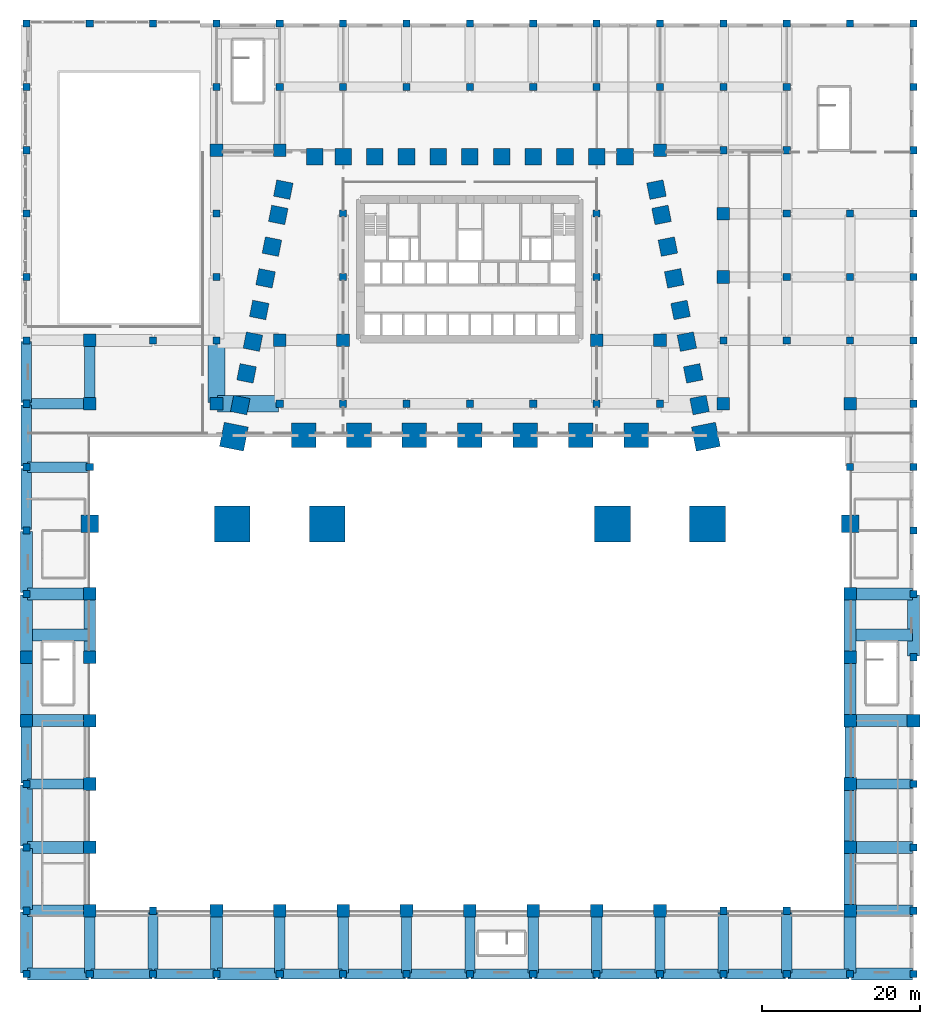
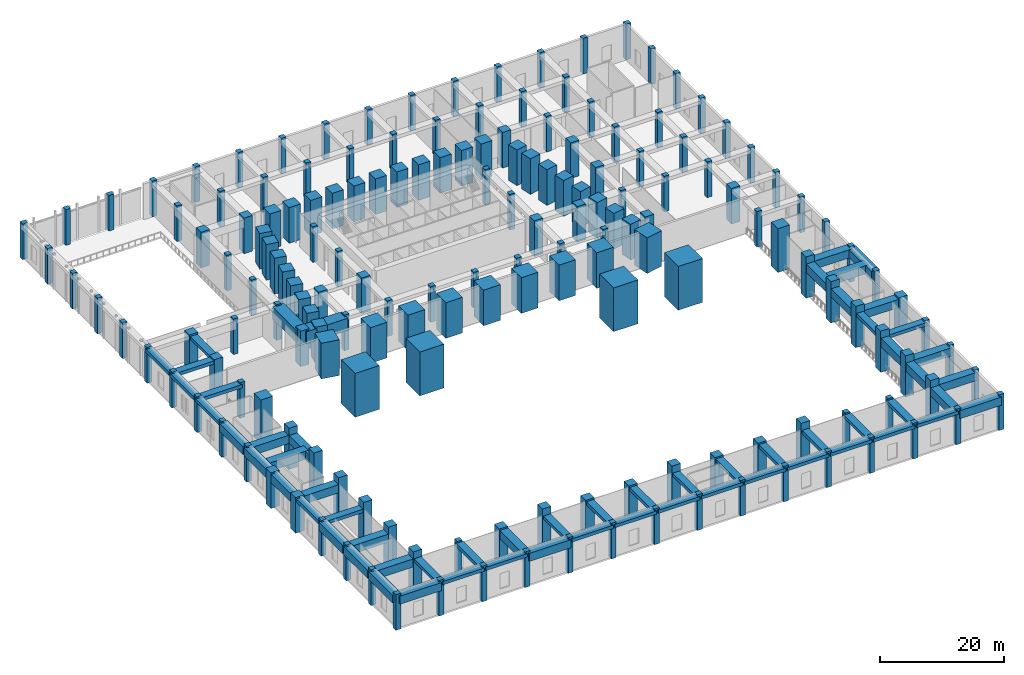
# One storey, part 1 of 18: 173 columns, 61 beams.
"""IFC4 building model written with IfcOpenShell, lengths in metres."""

from ifc_helpers import new_model, si_unit, direction, frame, origin, origin_2d, place, context, subcontext, project, spatial, rectangle, extrude, material, material_profile, profile_set, type_object, element, save


model = new_model("IFC4")

# Units and contexts
model_context = context("Model", 3, precision=1e-05, world=origin(), true_north=direction((0.0, 1.0)))
body_context = subcontext(model_context, "Body", "Model", "MODEL_VIEW")
ifc_project = project(units=[si_unit("LENGTHUNIT", "METRE"), si_unit("AREAUNIT", "SQUARE_METRE"), si_unit("VOLUMEUNIT", "CUBIC_METRE"), si_unit("PLANEANGLEUNIT", "RADIAN"), si_unit("MASSUNIT", "GRAM", prefix="KILO")], contexts=[model_context])

# Site, building, storey
site_placement = place(None, origin())
site = spatial("IfcSite", under=ifc_project, at=site_placement, CompositionType="ELEMENT")
building_placement = place(site_placement, origin())
building = spatial("IfcBuilding", under=site, at=building_placement, Name="Isbrekke Arena Tower", CompositionType="ELEMENT")
storey_placement = place(building_placement, frame((0.0, 0.0, 12.0)))
storey = spatial("IfcBuildingStorey", under=building, at=storey_placement, Name="L02", CompositionType="ELEMENT", Elevation=12.0)

# Columns
ifc_material_1 = material(Name="Concrete B90 (C90/105)", Category="concrete")
ifc_material_profile_1 = material_profile(ifc_material_1, rectangle(XDim=2.10009765625, YDim=2.10009765625, at=origin_2d()), Name="RC 2100x2100")
ifc_profile_set_1 = profile_set([ifc_material_profile_1], Name="Concrete B90 (C90/105)")
column_type_1 = type_object("IfcColumnType", Name="C1 RC 2100 x 2100", PredefinedType="COLUMN", material=ifc_profile_set_1)
for number, where, z_axis, x_axis, name in (
    (1, (28.990966796875, -2.161865234375, 0.0), (0.0, 0.0, 1.0), (-0.196116135138, 0.980580675691, 0.0), "C1 E04"),
    (2, (28.19091796875, 1.838134765625, 0.0), (0.0, 0.0, 1.0), (-0.196116135138, 0.980580675691, 0.0), "C1 E05"),
    (3, (27.39111328125, 5.838134765625, 0.0), (0.0, 0.0, 1.0), (-0.196116135138, 0.980580675691, 0.0), "C1 E06"),
    (4, (26.591064453125, 9.838134765625, 0.0), (0.0, 0.0, 1.0), (-0.196116135138, 0.980580675691, 0.0), "C1 E07"),
    (5, (25.791015625, 13.838134765625, 0.0), (0.0, 0.0, 1.0), (-0.196116135138, 0.980580675691, 0.0), "C1 E08"),
    (6, (24.990966796875, 17.838134765625, 0.0), (0.0, 0.0, 1.0), (-0.196116135138, 0.980580675691, 0.0), "C1 E09"),
    (7, (24.19091796875, 21.838134765625, 0.0), (0.0, 0.0, 1.0), (-0.196116135138, 0.980580675691, 0.0), "C1 E10"),
    (8, (23.552734375, 25.029296875, 0.0), (0.0, 0.0, 1.0), (-0.196116135138, 0.980580675691, 0.0), "C1 E11"),
    (9, (19.574951171875, 29.175048828125, 0.0), (0.0, 0.0, 1.0), (-1.0, 0.0, 0.0), "C1 N01"),
    (10, (16.0, 29.175048828125, 0.0), (0.0, 0.0, 1.0), (-1.0, 0.0, 0.0), "C1 N02"),
    (11, (12.0, 29.175048828125, 0.0), (0.0, 0.0, 1.0), (-1.0, 0.0, 0.0), "C1 N03"),
    (12, (8.0, 29.175048828125, 0.0), (0.0, 0.0, 1.0), (-1.0, 0.0, 0.0), "C1 N04"),
    (13, (4.0, 29.175048828125, 0.0), (0.0, 0.0, 1.0), (-1.0, 0.0, 0.0), "C1 N05"),
    (14, (0.0, 29.175048828125, 0.0), (0.0, 0.0, 1.0), (-1.0, 0.0, 0.0), "C1 N06"),
    (15, (-4.0, 29.175048828125, 0.0), (0.0, 0.0, 1.0), (-1.0, 0.0, 0.0), "C1 N07"),
    (16, (-8.0, 29.175048828125, 0.0), (0.0, 0.0, 1.0), (-1.0, 0.0, 0.0), "C1 N08"),
    (17, (-12.0, 29.175048828125, 0.0), (0.0, 0.0, 1.0), (-1.0, 0.0, 0.0), "C1 N09"),
    (18, (-16.0, 29.175048828125, 0.0), (0.0, 0.0, 1.0), (-1.0, 0.0, 0.0), "C1 N10"),
    (19, (-19.574951171875, 29.175048828125, 0.0), (0.0, 0.0, 1.0), (-1.0, 0.0, 0.0), "C1 N11"),
    (20, (-23.552734375, 25.029296875, 0.0), (0.0, 0.0, 1.0), (-0.196116135138, -0.980580675691, 0.0), "C1 W01"),
    (21, (-24.19091796875, 21.838134765625, 0.0), (0.0, 0.0, 1.0), (-0.196116135138, -0.980580675691, 0.0), "C1 W02"),
    (22, (-24.990966796875, 17.838134765625, 0.0), (0.0, 0.0, 1.0), (-0.196116135138, -0.980580675691, 0.0), "C1 W03"),
    (23, (-25.791015625, 13.838134765625, 0.0), (0.0, 0.0, 1.0), (-0.196116135138, -0.980580675691, 0.0), "C1 W04"),
    (24, (-26.591064453125, 9.838134765625, 0.0), (0.0, 0.0, 1.0), (-0.196116135138, -0.980580675691, 0.0), "C1 W05"),
    (25, (-27.39111328125, 5.838134765625, 0.0), (0.0, 0.0, 1.0), (-0.196116135138, -0.980580675691, 0.0), "C1 W06"),
    (26, (-28.19091796875, 1.838134765625, 0.0), (0.0, 0.0, 1.0), (-0.196116135138, -0.980580675691, 0.0), "C1 W07"),
    (27, (-28.990966796875, -2.161865234375, 0.0), (0.0, 0.0, 1.0), (-0.196116135138, -0.980580675691, 0.0), "C1 W08"),
):
    element("IfcColumn", number, at=place(storey_placement, frame(where, z_axis=z_axis, x_axis=x_axis)), inside=storey, type_object=column_type_1, Name=name, PredefinedType="COLUMN", context=body_context, shape_type="SweptSolid", body=[
        extrude(rectangle(XDim=2.10009765625, YDim=2.10009765625, at=origin_2d()), origin(), (0.0, 0.0, 1.0), 7.0),
    ])
ifc_material_2 = material(Name="Concrete B55 (C55/67)", Category="concrete")
ifc_material_profile_2 = material_profile(ifc_material_2, rectangle(XDim=1.60009765625, YDim=1.60009765625, at=origin_2d()), Name="RC 1600x1600")
ifc_profile_set_2 = profile_set([ifc_material_profile_2], Name="Concrete B55 (C55/67)")
column_type_2 = type_object("IfcColumnType", Name="C15 RC 1600 x 1600", PredefinedType="COLUMN", material=ifc_profile_set_2)
for number, where, z_axis, x_axis, name in (
    (28, (-48.0, -66.0, 0.0), (0.0, 0.0, 1.0), (1.0, 0.0, 0.0), "C15 PB2"),
    (29, (-48.0, -58.0, 0.0), (0.0, 0.0, 1.0), (1.0, 0.0, 0.0), "C15 PC2"),
    (30, (-48.0, -50.0, 0.0), (0.0, 0.0, 1.0), (1.0, 0.0, 0.0), "C15 PD2"),
    (31, (-48.0, -42.0, 0.0), (0.0, 0.0, 1.0), (1.0, 0.0, 0.0), "C15 PE2"),
    (32, (-48.0, -34.0, 0.0), (0.0, 0.0, 1.0), (1.0, 0.0, 0.0), "C15 PF2"),
    (33, (-48.0, -26.0, 0.0), (0.0, 0.0, 1.0), (1.0, 0.0, 0.0), "C15 PG2"),
    (34, (48.0, -66.0, 0.0), (0.0, 0.0, 1.0), (1.0, 0.0, 0.0), "C15 PB14"),
    (35, (48.0, -58.0, 0.0), (0.0, 0.0, 1.0), (1.0, 0.0, 0.0), "C15 PC14"),
    (36, (48.0, -50.0, 0.0), (0.0, 0.0, 1.0), (1.0, 0.0, 0.0), "C15 PD14"),
    (37, (48.0, -42.0, 0.0), (0.0, 0.0, 1.0), (1.0, 0.0, 0.0), "C15 PE14"),
    (38, (48.0, -34.0, 0.0), (0.0, 0.0, 1.0), (1.0, 0.0, 0.0), "C15 PF14"),
    (39, (48.0, -26.0, 0.0), (0.0, 0.0, 1.0), (1.0, 0.0, 0.0), "C15 PG14"),
):
    element("IfcColumn", number, at=place(storey_placement, frame(where, z_axis=z_axis, x_axis=x_axis)), inside=storey, type_object=column_type_2, Name=name, PredefinedType="COLUMN", context=body_context, shape_type="SweptSolid", body=[
        extrude(rectangle(XDim=1.60009765625, YDim=1.60009765625, at=origin_2d()), origin(), (0.0, 0.0, 1.0), 8.10791015625),
    ])
ifc_material_3 = material(Name="Concrete B55 (C55/67)", Category="concrete")
ifc_material_profile_3 = material_profile(ifc_material_3, rectangle(XDim=0.89990234375, YDim=0.89990234375, at=origin_2d()), Name="RC 900x900")
ifc_profile_set_3 = profile_set([ifc_material_profile_3], Name="Concrete B55 (C55/67)")
column_type_3 = type_object("IfcColumnType", Name="C16 RC 900 x 900", PredefinedType="COLUMN", material=ifc_profile_set_3)
for number, where, z_axis, x_axis, name in (
    (40, (-56.0, -74.0, 0.0), (0.0, 0.0, 1.0), (1.0, 0.0, 0.0), "C16 PA1"),
    (41, (-56.0, -66.0, 0.0), (0.0, 0.0, 1.0), (1.0, 0.0, 0.0), "C16 PB1"),
    (42, (-56.0, -58.0, 0.0), (0.0, 0.0, 1.0), (1.0, 0.0, 0.0), "C16 PC1"),
    (43, (-56.0, -50.0, 0.0), (0.0, 0.0, 1.0), (1.0, 0.0, 0.0), "C16 PD1"),
    (44, (-56.0, -26.0, 0.0), (0.0, 0.0, 1.0), (1.0, 0.0, 0.0), "C16 PG1"),
    (45, (-56.0, -18.0, 0.0), (0.0, 0.0, 1.0), (1.0, 0.0, 0.0), "C16 PH1"),
    (46, (-56.0, -10.0, 0.0), (0.0, 0.0, 1.0), (1.0, 0.0, 0.0), "C16 PI1"),
    (47, (-56.0, -2.0, 0.0), (0.0, 0.0, 1.0), (1.0, 0.0, 0.0), "C16 PJ1"),
    (48, (-56.0, 6.0, 0.0), (0.0, 0.0, 1.0), (1.0, 0.0, 0.0), "C16 PK1"),
    (49, (-56.0, 14.0, 0.0), (0.0, 0.0, 1.0), (1.0, 0.0, 0.0), "C16 PL1"),
    (50, (-56.0, 22.0, 0.0), (0.0, 0.0, 1.0), (1.0, 0.0, 0.0), "C16 PM1"),
    (51, (-56.0, 30.0, 0.0), (0.0, 0.0, 1.0), (1.0, 0.0, 0.0), "C16 PN1"),
    (52, (-56.0, 38.0, 0.0), (0.0, 0.0, 1.0), (1.0, 0.0, 0.0), "C16 PO1"),
    (53, (-56.0, 46.0, 0.0), (0.0, 0.0, 1.0), (1.0, 0.0, 0.0), "C16 PP1"),
    (54, (-48.0, -74.0, 0.0), (0.0, 0.0, 1.0), (1.0, 0.0, 0.0), "C16 PA2"),
    (55, (-48.0, -10.0, 0.0), (0.0, 0.0, 1.0), (1.0, 0.0, 0.0), "C16 PI2"),
    (56, (-48.0, 46.0, 0.0), (0.0, 0.0, 1.0), (1.0, 0.0, 0.0), "C16 PP2"),
    (57, (-40.0, -74.0, 0.0), (0.0, 0.0, 1.0), (1.0, 0.0, 0.0), "C16 PA3"),
    (58, (-40.0, -66.0, 0.0), (0.0, 0.0, 1.0), (1.0, 0.0, 0.0), "C16 PB3"),
    (59, (-40.0, 6.0, 0.0), (0.0, 0.0, 1.0), (1.0, 0.0, 0.0), "C16 PK3"),
    (60, (-40.0, 46.0, 0.0), (0.0, 0.0, 1.0), (1.0, 0.0, 0.0), "C16 PP3"),
    (61, (-32.0, -74.0, 0.0), (0.0, 0.0, 1.0), (1.0, 0.0, 0.0), "C16 PA4"),
    (62, (-32.0, 6.0, 0.0), (0.0, 0.0, 1.0), (1.0, 0.0, 0.0), "C16 PK4"),
    (63, (-32.0, 14.0, 0.0), (0.0, 0.0, 1.0), (1.0, 0.0, 0.0), "C16 PL4"),
    (64, (-32.0, 22.0, 0.0), (0.0, 0.0, 1.0), (1.0, 0.0, 0.0), "C16 PM4"),
    (65, (-32.0, 38.0, 0.0), (0.0, 0.0, 1.0), (1.0, 0.0, 0.0), "C16 PO4"),
    (66, (-32.0, 46.0, 0.0), (0.0, 0.0, 1.0), (1.0, 0.0, 0.0), "C16 PP4"),
    (67, (-24.0, -74.0, 0.0), (0.0, 0.0, 1.0), (1.0, 0.0, 0.0), "C16 PA5"),
    (68, (-24.0, -2.0, 0.0), (0.0, 0.0, 1.0), (1.0, 0.0, 0.0), "C16 PJ5"),
    (69, (-24.0, 38.0, 0.0), (0.0, 0.0, 1.0), (1.0, 0.0, 0.0), "C16 PO5"),
    (70, (-24.0, 46.0, 0.0), (0.0, 0.0, 1.0), (1.0, 0.0, 0.0), "C16 PP5"),
    (71, (-16.0, -74.0, 0.0), (0.0, 0.0, 1.0), (1.0, 0.0, 0.0), "C16 PA6"),
    (72, (-16.0, -2.0, 0.0), (0.0, 0.0, 1.0), (1.0, 0.0, 0.0), "C16 PJ6"),
    (73, (-16.0, 14.0, 0.0), (0.0, 0.0, 1.0), (1.0, 0.0, 0.0), "C16 PL6"),
    (74, (-16.0, 22.0, 0.0), (0.0, 0.0, 1.0), (1.0, 0.0, 0.0), "C16 PM6"),
    (75, (-16.0, 38.0, 0.0), (0.0, 0.0, 1.0), (1.0, 0.0, 0.0), "C16 PO6"),
    (76, (-16.0, 46.0, 0.0), (0.0, 0.0, 1.0), (1.0, 0.0, 0.0), "C16 PP6"),
    (77, (-8.0, -74.0, 0.0), (0.0, 0.0, 1.0), (1.0, 0.0, 0.0), "C16 PA7"),
    (78, (-8.0, -2.0, 0.0), (0.0, 0.0, 1.0), (1.0, 0.0, 0.0), "C16 PJ7"),
    (79, (-8.0, 38.0, 0.0), (0.0, 0.0, 1.0), (1.0, 0.0, 0.0), "C16 PO7"),
    (80, (-8.0, 46.0, 0.0), (0.0, 0.0, 1.0), (1.0, 0.0, 0.0), "C16 PP7"),
    (81, (0.0, -74.0, 0.0), (0.0, 0.0, 1.0), (1.0, 0.0, 0.0), "C16 PA8"),
    (82, (0.0, -2.0, 0.0), (0.0, 0.0, 1.0), (1.0, 0.0, 0.0), "C16 PJ8"),
    (83, (0.0, 38.0, 0.0), (0.0, 0.0, 1.0), (1.0, 0.0, 0.0), "C16 PO8"),
    (84, (0.0, 46.0, 0.0), (0.0, 0.0, 1.0), (1.0, 0.0, 0.0), "C16 PP8"),
    (85, (8.0, -74.0, 0.0), (0.0, 0.0, 1.0), (1.0, 0.0, 0.0), "C16 PA9"),
    (86, (8.0, -2.0, 0.0), (0.0, 0.0, 1.0), (1.0, 0.0, 0.0), "C16 PJ9"),
    (87, (8.0, 38.0, 0.0), (0.0, 0.0, 1.0), (1.0, 0.0, 0.0), "C16 PO9"),
    (88, (8.0, 46.0, 0.0), (0.0, 0.0, 1.0), (1.0, 0.0, 0.0), "C16 PP9"),
    (89, (16.0, -74.0, 0.0), (0.0, 0.0, 1.0), (1.0, 0.0, 0.0), "C16 PA10"),
    (90, (16.0, -2.0, 0.0), (0.0, 0.0, 1.0), (1.0, 0.0, 0.0), "C16 PJ10"),
    (91, (16.0, 14.0, 0.0), (0.0, 0.0, 1.0), (1.0, 0.0, 0.0), "C16 PL10"),
    (92, (16.0, 22.0, 0.0), (0.0, 0.0, 1.0), (1.0, 0.0, 0.0), "C16 PM10"),
    (93, (16.0, 38.0, 0.0), (0.0, 0.0, 1.0), (1.0, 0.0, 0.0), "C16 PO10"),
    (94, (16.0, 46.0, 0.0), (0.0, 0.0, 1.0), (1.0, 0.0, 0.0), "C16 PP10"),
    (95, (24.0, -74.0, 0.0), (0.0, 0.0, 1.0), (1.0, 0.0, 0.0), "C16 PA11"),
    (96, (24.0, -2.0, 0.0), (0.0, 0.0, 1.0), (1.0, 0.0, 0.0), "C16 PJ11"),
    (97, (24.0, 38.0, 0.0), (0.0, 0.0, 1.0), (1.0, 0.0, 0.0), "C16 PO11"),
    (98, (24.0, 46.0, 0.0), (0.0, 0.0, 1.0), (1.0, 0.0, 0.0), "C16 PP11"),
    (99, (32.0, -74.0, 0.0), (0.0, 0.0, 1.0), (1.0, 0.0, 0.0), "C16 PA12"),
    (100, (32.0, -66.0, 0.0), (0.0, 0.0, 1.0), (1.0, 0.0, 0.0), "C16 PB12"),
    (101, (32.0, 6.0, 0.0), (0.0, 0.0, 1.0), (1.0, 0.0, 0.0), "C16 PK12"),
    (102, (32.0, 30.0, 0.0), (0.0, 0.0, 1.0), (1.0, 0.0, 0.0), "C16 PN12"),
    (103, (32.0, 38.0, 0.0), (0.0, 0.0, 1.0), (1.0, 0.0, 0.0), "C16 PO12"),
    (104, (32.0, 46.0, 0.0), (0.0, 0.0, 1.0), (1.0, 0.0, 0.0), "C16 PP12"),
    (105, (40.0, -74.0, 0.0), (0.0, 0.0, 1.0), (1.0, 0.0, 0.0), "C16 PA13"),
    (106, (40.0, -66.0, 0.0), (0.0, 0.0, 1.0), (1.0, 0.0, 0.0), "C16 PB13"),
    (107, (40.0, 6.0, 0.0), (0.0, 0.0, 1.0), (1.0, 0.0, 0.0), "C16 PK13"),
    (108, (40.0, 14.0, 0.0), (0.0, 0.0, 1.0), (1.0, 0.0, 0.0), "C16 PL13"),
    (109, (40.0, 22.0, 0.0), (0.0, 0.0, 1.0), (1.0, 0.0, 0.0), "C16 PM13"),
    (110, (40.0, 30.0, 0.0), (0.0, 0.0, 1.0), (1.0, 0.0, 0.0), "C16 PN13"),
    (111, (40.0, 38.0, 0.0), (0.0, 0.0, 1.0), (1.0, 0.0, 0.0), "C16 PO13"),
    (112, (40.0, 46.0, 0.0), (0.0, 0.0, 1.0), (1.0, 0.0, 0.0), "C16 PP13"),
    (113, (48.0, -74.0, 0.0), (0.0, 0.0, 1.0), (1.0, 0.0, 0.0), "C16 PA14"),
    (114, (48.0, -10.0, 0.0), (0.0, 0.0, 1.0), (1.0, 0.0, 0.0), "C16 PI14"),
    (115, (48.0, 6.0, 0.0), (0.0, 0.0, 1.0), (1.0, 0.0, 0.0), "C16 PK14"),
    (116, (48.0, 14.0, 0.0), (0.0, 0.0, 1.0), (1.0, 0.0, 0.0), "C16 PL14"),
    (117, (48.0, 22.0, 0.0), (0.0, 0.0, 1.0), (1.0, 0.0, 0.0), "C16 PM14"),
    (118, (48.0, 46.0, 0.0), (0.0, 0.0, 1.0), (1.0, 0.0, 0.0), "C16 PP14"),
    (119, (56.0, -74.0, 0.0), (0.0, 0.0, 1.0), (1.0, 0.0, 0.0), "C16 PA15"),
    (120, (56.0, -66.0, 0.0), (0.0, 0.0, 1.0), (1.0, 0.0, 0.0), "C16 PB15"),
    (121, (56.0, -58.0, 0.0), (0.0, 0.0, 1.0), (1.0, 0.0, 0.0), "C16 PC15"),
    (122, (56.0, -50.0, 0.0), (0.0, 0.0, 1.0), (1.0, 0.0, 0.0), "C16 PD15"),
    (123, (56.0, -34.0, 0.0), (0.0, 0.0, 1.0), (1.0, 0.0, 0.0), "C16 PF15"),
    (124, (56.0, -26.0, 0.0), (0.0, 0.0, 1.0), (1.0, 0.0, 0.0), "C16 PG15"),
    (125, (56.0, -18.0, 0.0), (0.0, 0.0, 1.0), (1.0, 0.0, 0.0), "C16 PH15"),
    (126, (56.0, -10.0, 0.0), (0.0, 0.0, 1.0), (1.0, 0.0, 0.0), "C16 PI15"),
    (127, (56.0, -2.0, 0.0), (0.0, 0.0, 1.0), (1.0, 0.0, 0.0), "C16 PJ15"),
    (128, (56.0, 6.0, 0.0), (0.0, 0.0, 1.0), (1.0, 0.0, 0.0), "C16 PK15"),
    (129, (56.0, 14.0, 0.0), (0.0, 0.0, 1.0), (1.0, 0.0, 0.0), "C16 PL15"),
    (130, (56.0, 22.0, 0.0), (0.0, 0.0, 1.0), (1.0, 0.0, 0.0), "C16 PM15"),
    (131, (56.0, 30.0, 0.0), (0.0, 0.0, 1.0), (1.0, 0.0, 0.0), "C16 PN15"),
    (132, (56.0, 38.0, 0.0), (0.0, 0.0, 1.0), (1.0, 0.0, 0.0), "C16 PO15"),
    (133, (56.0, 46.0, 0.0), (0.0, 0.0, 1.0), (1.0, 0.0, 0.0), "C16 PP15"),
):
    element("IfcColumn", number, at=place(storey_placement, frame(where, z_axis=z_axis, x_axis=x_axis)), inside=storey, type_object=column_type_3, Name=name, PredefinedType="COLUMN", context=body_context, shape_type="SweptSolid", body=[
        extrude(rectangle(XDim=0.89990234375, YDim=0.89990234375, at=origin_2d()), origin(), (0.0, 0.0, 1.0), 7.0),
    ])
ifc_material_4 = material(Name="Concrete B90 (C90/105)", Category="concrete")
ifc_material_profile_4 = material_profile(ifc_material_4, rectangle(XDim=3.10009765625, YDim=3.10009765625, at=origin_2d()), Name="RC 3100x3100")
ifc_profile_set_4 = profile_set([ifc_material_profile_4], Name="Concrete B90 (C90/105)")
column_type_4 = type_object("IfcColumnType", Name="C17 RC 3100 x 3100", PredefinedType="COLUMN", material=ifc_profile_set_4)
for number, where, z_axis, x_axis, name in (
    (134, (29.791015625, -6.161865234375, 0.0), (0.0, 0.0, 1.0), (-0.196116135138, 0.980580675691, 0.0), "C17 E03"),
    (135, (-29.791015625, -6.161865234375, 0.0), (0.0, 0.0, 1.0), (-0.196116135138, -0.980580675691, 0.0), "C17 W09"),
    (136, (-21.0, -6.0, 0.0), (0.0, 0.0, 1.0), (1.0, 0.0, 0.0), "C17 I01"),
    (137, (-14.0, -6.0, 0.0), (0.0, 0.0, 1.0), (1.0, 0.0, 0.0), "C17 I02"),
    (138, (-7.0, -6.0, 0.0), (0.0, 0.0, 1.0), (1.0, 0.0, 0.0), "C17 I03"),
    (139, (0.0, -6.0, 0.0), (0.0, 0.0, 1.0), (1.0, 0.0, 0.0), "C17 I04"),
    (140, (7.0, -6.0, 0.0), (0.0, 0.0, 1.0), (1.0, 0.0, 0.0), "C17 I05"),
    (141, (14.0, -6.0, 0.0), (0.0, 0.0, 1.0), (1.0, 0.0, 0.0), "C17 I06"),
    (142, (21.0, -6.0, 0.0), (0.0, 0.0, 1.0), (1.0, 0.0, 0.0), "C17 I07"),
):
    element("IfcColumn", number, at=place(storey_placement, frame(where, z_axis=z_axis, x_axis=x_axis)), inside=storey, type_object=column_type_4, Name=name, PredefinedType="COLUMN", context=body_context, shape_type="SweptSolid", body=[
        extrude(rectangle(XDim=3.10009765625, YDim=3.10009765625, at=origin_2d()), origin(), (0.0, 0.0, 1.0), 7.0),
    ])
ifc_material_5 = material(Name="Concrete B55 (C55/67)", Category="concrete")
ifc_material_profile_5 = material_profile(ifc_material_5, rectangle(XDim=1.60009765625, YDim=1.60009765625, at=origin_2d()), Name="RC 1600x1600")
ifc_profile_set_5 = profile_set([ifc_material_profile_5], Name="Concrete B55 (C55/67)")
column_type_5 = type_object("IfcColumnType", Name="C18 RC 1600 x 1600", PredefinedType="COLUMN", material=ifc_profile_set_5)
for number, where, z_axis, x_axis, name in (
    (143, (-56.0, -42.0, 0.0), (0.0, 0.0, 1.0), (1.0, 0.0, 0.0), "C18 PE1"),
    (144, (-56.0, -34.0, 0.0), (0.0, 0.0, 1.0), (1.0, 0.0, 0.0), "C18 PF1"),
    (145, (-48.0, -2.0, 0.0), (0.0, 0.0, 1.0), (1.0, 0.0, 0.0), "C18 PJ2"),
    (146, (-48.0, 6.0, 0.0), (0.0, 0.0, 1.0), (1.0, 0.0, 0.0), "C18 PK2"),
    (147, (-32.0, -66.0, 0.0), (0.0, 0.0, 1.0), (1.0, 0.0, 0.0), "C18 PB4"),
    (148, (-32.0, -2.0, 0.0), (0.0, 0.0, 1.0), (1.0, 0.0, 0.0), "C18 PJ4"),
    (149, (-32.0, 30.0, 0.0), (0.0, 0.0, 1.0), (1.0, 0.0, 0.0), "C18 PN4"),
):
    element("IfcColumn", number, at=place(storey_placement, frame(where, z_axis=z_axis, x_axis=x_axis)), inside=storey, type_object=column_type_5, Name=name, PredefinedType="COLUMN", context=body_context, shape_type="SweptSolid", body=[
        extrude(rectangle(XDim=1.60009765625, YDim=1.60009765625, at=origin_2d()), origin(), (0.0, 0.0, 1.0), 7.0),
    ])
column_1_placement = place(storey_placement, frame((-24.0, -66.0, 0.0), z_axis=(0.0, 0.0, 1.0), x_axis=(1.0, 0.0, 0.0)))
element("IfcColumn", 150, at=column_1_placement, inside=storey, type_object=column_type_5, Name="C18 PB5", PredefinedType="COLUMN", context=body_context, shape_type="SweptSolid", body=[
    extrude(rectangle(XDim=1.60009765625, YDim=1.60009765625, at=origin_2d()), origin(), (0.0, 0.0, 1.0), 8.10791015625),
])
for number, where, z_axis, x_axis, name in (
    (151, (-24.0, 6.0, 0.0), (0.0, 0.0, 1.0), (1.0, 0.0, 0.0), "C18 PK5"),
    (152, (-24.0, 30.0, 0.0), (0.0, 0.0, 1.0), (1.0, 0.0, 0.0), "C18 PN5"),
    (153, (-16.0, -66.0, 0.0), (0.0, 0.0, 1.0), (1.0, 0.0, 0.0), "C18 PB6"),
    (154, (-16.030029296875, 6.0, 0.0), (0.0, 0.0, 1.0), (1.0, 0.0, 0.0), "C18 PK6"),
    (155, (-8.0, -66.0, 0.0), (0.0, 0.0, 1.0), (1.0, 0.0, 0.0), "C18 PB7"),
):
    element("IfcColumn", number, at=place(storey_placement, frame(where, z_axis=z_axis, x_axis=x_axis)), inside=storey, type_object=column_type_5, Name=name, PredefinedType="COLUMN", context=body_context, shape_type="SweptSolid", body=[
        extrude(rectangle(XDim=1.60009765625, YDim=1.60009765625, at=origin_2d()), origin(), (0.0, 0.0, 1.0), 7.0),
    ])
column_2_placement = place(storey_placement, frame((0.0, -66.0, 0.0), z_axis=(0.0, 0.0, 1.0), x_axis=(1.0, 0.0, 0.0)))
element("IfcColumn", 156, at=column_2_placement, inside=storey, type_object=column_type_5, Name="C18 PB8", PredefinedType="COLUMN", context=body_context, shape_type="SweptSolid", body=[
    extrude(rectangle(XDim=1.60009765625, YDim=1.60009765625, at=origin_2d()), origin(), (0.0, 0.0, 1.0), 8.10791015625),
])
for number, where, z_axis, x_axis, name in (
    (157, (8.0, -66.0, 0.0), (0.0, 0.0, 1.0), (1.0, 0.0, 0.0), "C18 PB9"),
    (158, (16.0, -66.0, 0.0), (0.0, 0.0, 1.0), (1.0, 0.0, 0.0), "C18 PB10"),
    (159, (16.030029296875, 6.0, 0.0), (0.0, 0.0, 1.0), (1.0, 0.0, 0.0), "C18 PK10"),
):
    element("IfcColumn", number, at=place(storey_placement, frame(where, z_axis=z_axis, x_axis=x_axis)), inside=storey, type_object=column_type_5, Name=name, PredefinedType="COLUMN", context=body_context, shape_type="SweptSolid", body=[
        extrude(rectangle(XDim=1.60009765625, YDim=1.60009765625, at=origin_2d()), origin(), (0.0, 0.0, 1.0), 7.0),
    ])
column_3_placement = place(storey_placement, frame((24.0, -66.0, 0.0), z_axis=(0.0, 0.0, 1.0), x_axis=(1.0, 0.0, 0.0)))
element("IfcColumn", 160, at=column_3_placement, inside=storey, type_object=column_type_5, Name="C18 PB11", PredefinedType="COLUMN", context=body_context, shape_type="SweptSolid", body=[
    extrude(rectangle(XDim=1.60009765625, YDim=1.60009765625, at=origin_2d()), origin(), (0.0, 0.0, 1.0), 8.10791015625),
])
for number, where, z_axis, x_axis, name in (
    (161, (24.0, 6.0, 0.0), (0.0, 0.0, 1.0), (1.0, 0.0, 0.0), "C18 PK11"),
    (162, (24.0, 30.0, 0.0), (0.0, 0.0, 1.0), (1.0, 0.0, 0.0), "C18 PN11"),
    (163, (32.0, -2.0, 0.0), (0.0, 0.0, 1.0), (1.0, 0.0, 0.0), "C18 PJ12"),
    (164, (32.0, 14.0, 0.0), (0.0, 0.0, 1.0), (1.0, 0.0, 0.0), "C18 PL12"),
    (165, (32.0, 22.0, 0.0), (0.0, 0.0, 1.0), (1.0, 0.0, 0.0), "C18 PM12"),
    (166, (48.0, -2.0, 0.0), (0.0, 0.0, 1.0), (1.0, 0.0, 0.0), "C18 PJ14"),
    (167, (56.0, -42.0, 0.0), (0.0, 0.0, 1.0), (1.0, 0.0, 0.0), "C18 PE15"),
):
    element("IfcColumn", number, at=place(storey_placement, frame(where, z_axis=z_axis, x_axis=x_axis)), inside=storey, type_object=column_type_5, Name=name, PredefinedType="COLUMN", context=body_context, shape_type="SweptSolid", body=[
        extrude(rectangle(XDim=1.60009765625, YDim=1.60009765625, at=origin_2d()), origin(), (0.0, 0.0, 1.0), 7.0),
    ])
ifc_material_6 = material(Name="Concrete B65 (C65/80)", Category="concrete")
ifc_material_profile_6 = material_profile(ifc_material_6, rectangle(XDim=2.199951171875, YDim=2.199951171875, at=origin_2d()), Name="RC 2200x2200")
ifc_profile_set_6 = profile_set([ifc_material_profile_6], Name="Concrete B65 (C65/80)")
column_type_6 = type_object("IfcColumnType", Name="MC1 RC 2200 x 2200", PredefinedType="COLUMN", material=ifc_profile_set_6)
for number, where, z_axis, x_axis, name in (
    (168, (-48.0, -17.175048828125, 0.0), (0.0, 0.0, 1.0), (1.0, 0.0, 0.0), "MC1 mega column MCW"),
    (169, (48.0, -17.175048828125, 0.0), (0.0, 0.0, 1.0), (1.0, 0.0, 0.0), "MC1 mega column MCE"),
):
    element("IfcColumn", number, at=place(storey_placement, frame(where, z_axis=z_axis, x_axis=x_axis)), inside=storey, type_object=column_type_6, Name=name, PredefinedType="COLUMN", context=body_context, shape_type="SweptSolid", body=[
        extrude(rectangle(XDim=2.199951171875, YDim=2.199951171875, at=origin_2d()), origin(), (0.0, 0.0, 1.0), 8.60009765625),
    ])
ifc_material_7 = material(Name="Concrete B90 (C90/105)", Category="concrete")
ifc_material_profile_7 = material_profile(ifc_material_7, rectangle(XDim=4.5, YDim=4.5, at=origin_2d()), Name="RC 4500x4500")
ifc_profile_set_7 = profile_set([ifc_material_profile_7], Name="Concrete B90 (C90/105)")
column_type_7 = type_object("IfcColumnType", Name="MC2 RC 4500 x 4500", PredefinedType="COLUMN", material=ifc_profile_set_7)
for number, where, z_axis, x_axis, name in (
    (170, (-30.0, -17.175048828125, 0.0), (0.0, 0.0, 1.0), (1.0, 0.0, 0.0), "MC2 mega column SFW30"),
    (171, (-18.0, -17.175048828125, 0.0), (0.0, 0.0, 1.0), (1.0, 0.0, 0.0), "MC2 mega column SFW18"),
    (172, (18.0, -17.175048828125, 0.0), (0.0, 0.0, 1.0), (1.0, 0.0, 0.0), "MC2 mega column SFE18"),
    (173, (30.0, -17.175048828125, 0.0), (0.0, 0.0, 1.0), (1.0, 0.0, 0.0), "MC2 mega column SFE30"),
):
    element("IfcColumn", number, at=place(storey_placement, frame(where, z_axis=z_axis, x_axis=x_axis)), inside=storey, type_object=column_type_7, Name=name, PredefinedType="COLUMN", context=body_context, shape_type="SweptSolid", body=[
        extrude(rectangle(XDim=4.5, YDim=4.5, at=origin_2d()), origin(), (0.0, 0.0, 1.0), 8.60009765625),
    ])

# Beams
ifc_material_8 = material(Name="Concrete B45 (C45/55)", Category="concrete")
ifc_material_profile_8 = material_profile(ifc_material_8, rectangle(XDim=1.300048828125, YDim=0.64990234375, at=origin_2d()), Name="RC 1300x650")
ifc_profile_set_8 = profile_set([ifc_material_profile_8], Name="Concrete B45 (C45/55)")
beam_type_1 = type_object("IfcBeamType", Name="PB1 RC 1300 x 650", PredefinedType="BEAM", material=ifc_profile_set_8)
for number, where, z_axis, x_axis, name in (
    (174, (-47.85009765625, -74.0, 6.375), (1.0, 0.0, 0.0), (0.0, 1.0, 0.0), "PB1 podium beam A2 L03"),
    (175, (-48.0, -73.85009765625, 6.375), (0.0, 1.0, 0.0), (-1.0, 0.0, 0.0), "PB1 podium beam A2 L03"),
    (176, (-39.85009765625, -74.0, 6.375), (1.0, 0.0, 0.0), (0.0, 1.0, 0.0), "PB1 podium beam A3 L03"),
    (177, (-40.0, -73.85009765625, 6.375), (0.0, 1.0, 0.0), (-1.0, 0.0, 0.0), "PB1 podium beam A3 L03"),
    (178, (-23.85009765625, -74.0, 6.375), (1.0, 0.0, 0.0), (0.0, 1.0, 0.0), "PB1 podium beam A5 L03"),
    (179, (-24.0, -73.85009765625, 6.375), (0.0, 1.0, 0.0), (-1.0, 0.0, 0.0), "PB1 podium beam A5 L03"),
    (180, (-15.85009765625, -74.0, 6.375), (1.0, 0.0, 0.0), (0.0, 1.0, 0.0), "PB1 podium beam A6 L03"),
    (181, (-16.0, -73.85009765625, 6.375), (0.0, 1.0, 0.0), (-1.0, 0.0, 0.0), "PB1 podium beam A6 L03"),
    (182, (-7.85009765625, -74.0, 6.375), (1.0, 0.0, 0.0), (0.0, 1.0, 0.0), "PB1 podium beam A7 L03"),
    (183, (-8.0, -73.85009765625, 6.375), (0.0, 1.0, 0.0), (-1.0, 0.0, 0.0), "PB1 podium beam A7 L03"),
    (184, (0.14990234375, -74.0, 6.375), (1.0, 0.0, 0.0), (0.0, 1.0, 0.0), "PB1 podium beam A8 L03"),
    (185, (0.0, -73.85009765625, 6.375), (0.0, 1.0, 0.0), (-1.0, 0.0, 0.0), "PB1 podium beam A8 L03"),
    (186, (8.14990234375, -74.0, 6.375), (1.0, 0.0, 0.0), (0.0, 1.0, 0.0), "PB1 podium beam A9 L03"),
    (187, (8.0, -73.85009765625, 6.375), (0.0, 1.0, 0.0), (-1.0, 0.0, 0.0), "PB1 podium beam A9 L03"),
    (188, (16.14990234375, -74.0, 6.375), (1.0, 0.0, 0.0), (0.0, 1.0, 0.0), "PB1 podium beam A10 L03"),
    (189, (16.0, -73.85009765625, 6.375), (0.0, 1.0, 0.0), (-1.0, 0.0, 0.0), "PB1 podium beam A10 L03"),
    (190, (24.14990234375, -74.0, 6.375), (1.0, 0.0, 0.0), (0.0, 1.0, 0.0), "PB1 podium beam A11 L03"),
    (191, (24.0, -73.85009765625, 6.375), (0.0, 1.0, 0.0), (-1.0, 0.0, 0.0), "PB1 podium beam A11 L03"),
    (192, (32.14990234375, -74.0, 6.375), (1.0, 0.0, 0.0), (0.0, 1.0, 0.0), "PB1 podium beam A12 L03"),
    (193, (32.0, -73.85009765625, 6.375), (0.0, 1.0, 0.0), (-1.0, 0.0, 0.0), "PB1 podium beam A12 L03"),
    (194, (40.14990234375, -74.0, 6.375), (1.0, 0.0, 0.0), (0.0, 1.0, 0.0), "PB1 podium beam A13 L03"),
    (195, (40.0, -73.85009765625, 6.375), (0.0, 1.0, 0.0), (-1.0, 0.0, 0.0), "PB1 podium beam A13 L03"),
    (196, (-55.85009765625, -50.0, 6.375), (1.0, 0.0, 0.0), (0.0, 1.0, 0.0), "PB1 podium beam D1 L03"),
    (197, (-56.0, -49.85009765625, 6.375), (0.0, 1.0, 0.0), (-1.0, 0.0, 0.0), "PB1 podium beam D1 L03"),
    (198, (48.14990234375, -50.0, 6.375), (1.0, 0.0, 0.0), (0.0, 1.0, 0.0), "PB1 podium beam D14 L03"),
    (199, (48.0, -49.85009765625, 6.375), (0.0, 1.0, 0.0), (-1.0, 0.0, 0.0), "PB1 podium beam D14 L03"),
    (200, (-56.0, -17.85009765625, 6.375), (0.0, 1.0, 0.0), (-1.0, 0.0, 0.0), "PB1 podium beam H1 L03"),
    (201, (-55.85009765625, -10.0, 6.375), (1.0, 0.0, 0.0), (0.0, 1.0, 0.0), "PB1 podium beam I1 L03"),
    (202, (-56.0, -9.85009765625, 6.375), (0.0, 1.0, 0.0), (-1.0, 0.0, 0.0), "PB1 podium beam I1 L03"),
    (203, (-55.85009765625, -2.0, 6.375), (1.0, 0.0, 0.0), (0.0, 1.0, 0.0), "PB1 podium beam J1 L03"),
    (204, (-56.0, -1.85009765625, 6.375), (0.0, 1.0, 0.0), (-1.0, 0.0, 0.0), "PB1 podium beam J1 L03"),
    (205, (-48.0, -1.85009765625, 6.375), (0.0, 1.0, 0.0), (-1.0, 0.0, 0.0), "PB1 podium beam J2 L03"),
):
    element("IfcBeam", number, at=place(storey_placement, frame(where, z_axis=z_axis, x_axis=x_axis)), inside=storey, type_object=beam_type_1, Name=name, PredefinedType="BEAM", context=body_context, shape_type="SweptSolid", body=[
        extrude(rectangle(XDim=1.300048828125, YDim=0.64990234375, at=origin_2d()), origin(), (0.0, 0.0, 1.0), 7.7001953125),
    ])
ifc_material_9 = material(Name="Concrete B45 (C45/55)", Category="concrete")
ifc_material_profile_9 = material_profile(ifc_material_9, rectangle(XDim=1.5, YDim=1.60009765625, at=origin_2d()), Name="RC 1500x1600")
ifc_profile_set_9 = profile_set([ifc_material_profile_9], Name="Concrete B45 (C45/55)")
beam_type_2 = type_object("IfcBeamType", Name="PB2 RC 1500 x 1600", PredefinedType="BEAM", material=ifc_profile_set_9)
for number, where, z_axis, x_axis, name in (
    (206, (-55.85009765625, -74.0, 5.89990234375), (1.0, 0.0, 0.0), (0.0, 1.0, 0.0), "PB2 podium beam A1 L03"),
    (207, (-56.0, -73.85009765625, 5.89990234375), (0.0, 1.0, 0.0), (-1.0, 0.0, 0.0), "PB2 podium beam A1 L03"),
    (208, (-31.85009765625, -74.0, 5.89990234375), (1.0, 0.0, 0.0), (0.0, 1.0, 0.0), "PB2 podium beam A4 L03"),
    (209, (-32.0, -73.85009765625, 5.89990234375), (0.0, 1.0, 0.0), (-1.0, 0.0, 0.0), "PB2 podium beam A4 L03"),
    (210, (48.14990234375, -74.0, 5.89990234375), (1.0, 0.0, 0.0), (0.0, 1.0, 0.0), "PB2 podium beam A14 L03"),
    (211, (48.0, -73.85009765625, 5.89990234375), (0.0, 1.0, 0.0), (-1.0, 0.0, 0.0), "PB2 podium beam A14 L03"),
    (212, (-55.85009765625, -66.0, 5.89990234375), (1.0, 0.0, 0.0), (0.0, 1.0, 0.0), "PB2 podium beam B1 L03"),
    (213, (-56.0, -65.85009765625, 5.89990234375), (0.0, 1.0, 0.0), (-1.0, 0.0, 0.0), "PB2 podium beam B1 L03"),
    (214, (48.14990234375, -66.0, 5.89990234375), (1.0, 0.0, 0.0), (0.0, 1.0, 0.0), "PB2 podium beam B14 L03"),
    (215, (48.0, -65.85009765625, 5.89990234375), (0.0, 1.0, 0.0), (-1.0, 0.0, 0.0), "PB2 podium beam B14 L03"),
    (216, (-55.85009765625, -58.0, 5.89990234375), (1.0, 0.0, 0.0), (0.0, 1.0, 0.0), "PB2 podium beam C1 L03"),
    (217, (-56.0, -57.85009765625, 5.89990234375), (0.0, 1.0, 0.0), (-1.0, 0.0, 0.0), "PB2 podium beam C1 L03"),
    (218, (48.14990234375, -58.0, 5.89990234375), (1.0, 0.0, 0.0), (0.0, 1.0, 0.0), "PB2 podium beam C14 L03"),
    (219, (48.0, -57.85009765625, 5.89990234375), (0.0, 1.0, 0.0), (-1.0, 0.0, 0.0), "PB2 podium beam C14 L03"),
    (220, (-55.85009765625, -42.0, 5.89990234375), (1.0, 0.0, 0.0), (0.0, 1.0, 0.0), "PB2 podium beam E1 L03"),
    (221, (-56.0, -41.85009765625, 5.89990234375), (0.0, 1.0, 0.0), (-1.0, 0.0, 0.0), "PB2 podium beam E1 L03"),
    (222, (48.14990234375, -42.0, 5.89990234375), (1.0, 0.0, 0.0), (0.0, 1.0, 0.0), "PB2 podium beam E14 L03"),
    (223, (48.0, -41.85009765625, 5.89990234375), (0.0, 1.0, 0.0), (-1.0, 0.0, 0.0), "PB2 podium beam E14 L03"),
    (224, (-56.0, -33.85009765625, 5.89990234375), (0.0, 1.0, 0.0), (-1.0, 0.0, 0.0), "PB2 podium beam F1 L03"),
    (225, (48.0, -33.85009765625, 5.89990234375), (0.0, 1.0, 0.0), (-1.0, 0.0, 0.0), "PB2 podium beam F14 L03"),
    (226, (-55.85009765625, -26.0, 5.89990234375), (1.0, 0.0, 0.0), (0.0, 1.0, 0.0), "PB2 podium beam G1 L03"),
    (227, (-56.0, -25.85009765625, 5.89990234375), (0.0, 1.0, 0.0), (-1.0, 0.0, 0.0), "PB2 podium beam G1 L03"),
    (228, (48.14990234375, -26.0, 5.89990234375), (1.0, 0.0, 0.0), (0.0, 1.0, 0.0), "PB2 podium beam G14 L03"),
    (229, (-48.0, -33.85009765625, 5.89990234375), (0.0, 1.0, 0.0), (-1.0, 0.0, 0.0), "PB2 podium beam F2 L03"),
    (230, (56.0, -33.85009765625, 5.89990234375), (0.0, 1.0, 0.0), (-1.0, 0.0, 0.0), "PB2 podium beam F15 L03"),
    (231, (-55.85009765625, -31.199951171875, 5.89990234375), (1.0, 0.0, 0.0), (0.0, 1.0, 0.0), "PB2 podium beam F1 L03"),
    (232, (48.14990234375, -31.199951171875, 5.89990234375), (1.0, 0.0, 0.0), (0.0, 1.0, 0.0), "PB2 podium beam F14 L03"),
):
    element("IfcBeam", number, at=place(storey_placement, frame(where, z_axis=z_axis, x_axis=x_axis)), inside=storey, type_object=beam_type_2, Name=name, PredefinedType="BEAM", context=body_context, shape_type="SweptSolid", body=[
        extrude(rectangle(XDim=1.5, YDim=1.60009765625, at=origin_2d()), origin(), (0.0, 0.0, 1.0), 7.7001953125),
    ])
ifc_material_10 = material(Name="Concrete B45 (C45/55)", Category="concrete")
ifc_material_profile_10 = material_profile(ifc_material_10, rectangle(XDim=2.10009765625, YDim=2.39990234375, at=origin_2d()), Name="RC 2100x2400")
ifc_profile_set_10 = profile_set([ifc_material_profile_10], Name="Concrete B45 (C45/55)")
beam_type_3 = type_object("IfcBeamType", Name="PB4 RC 2100 x 2400", PredefinedType="BEAM", material=ifc_profile_set_10)
for number, where, z_axis, x_axis, name in (
    (233, (-31.85009765625, -2.0, 5.5), (1.0, 0.0, 0.0), (0.0, 1.0, 0.0), "PB4 podium beam J4 L03"),
    (234, (-32.0, -1.85009765625, 5.5), (0.0, 1.0, 0.0), (-1.0, 0.0, 0.0), "PB4 podium beam J4 L03"),
):
    element("IfcBeam", number, at=place(storey_placement, frame(where, z_axis=z_axis, x_axis=x_axis)), inside=storey, type_object=beam_type_3, Name=name, PredefinedType="BEAM", context=body_context, shape_type="SweptSolid", body=[
        extrude(rectangle(XDim=2.10009765625, YDim=2.39990234375, at=origin_2d()), origin(), (0.0, 0.0, 1.0), 7.7001953125),
    ])

save(model, "model.ifc")
